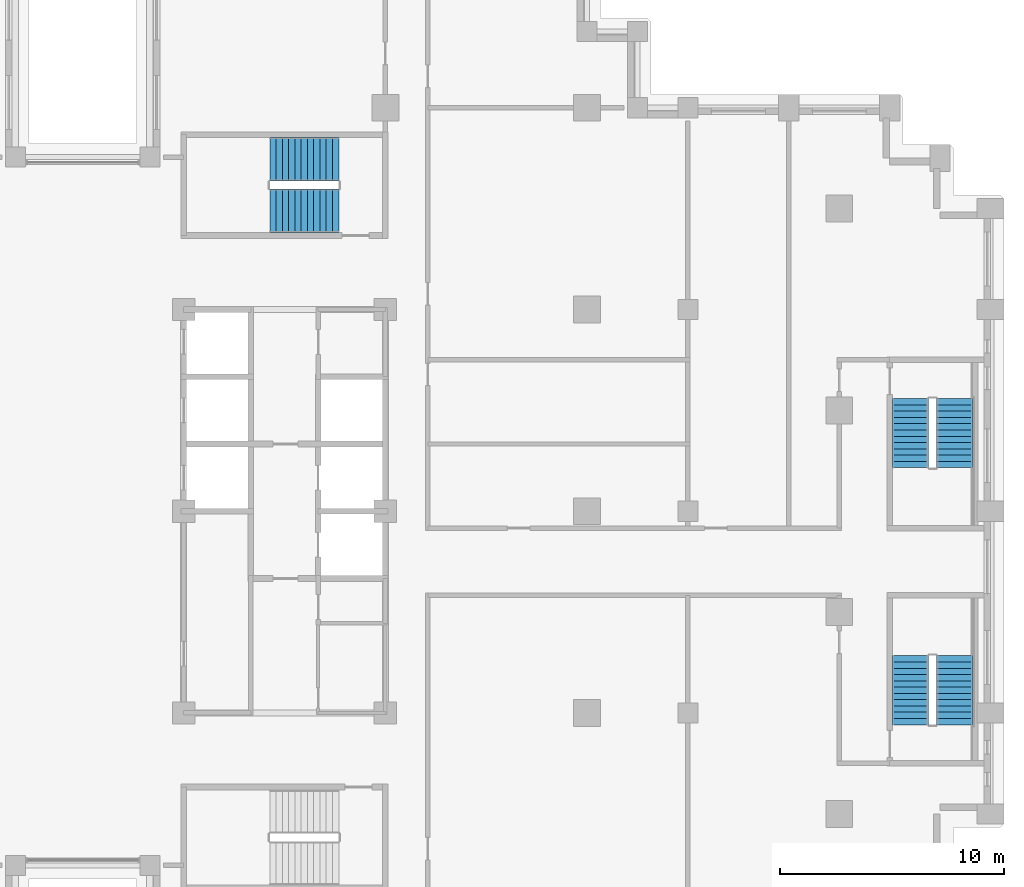
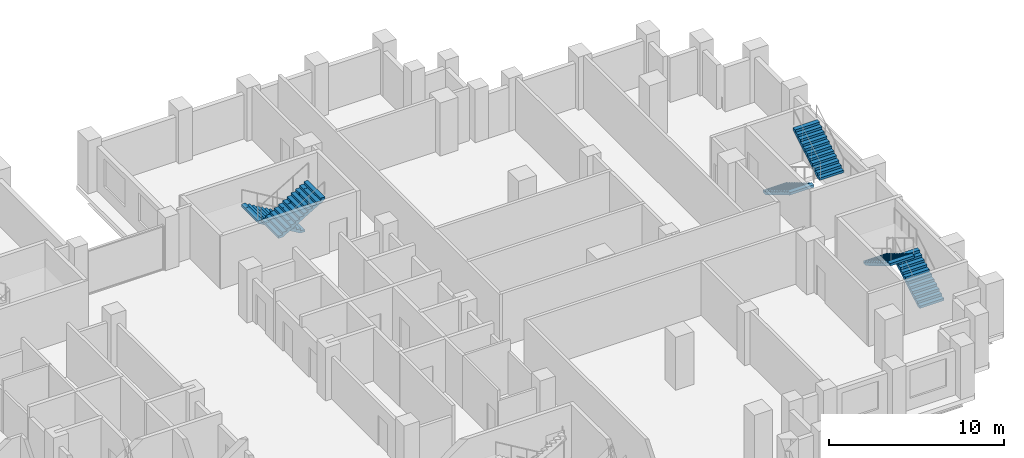
# One storey, part 13 of 15: 6 stair flights, 3 elements without a shape of their own.
"""IFC4 building model written with IfcOpenShell, lengths in metres."""

from ifc_helpers import new_model, si_unit, direction, frame, origin, place, context, subcontext, project, spatial, polyline, outline, extrude, material, type_object, element, aggregate, save


model = new_model("IFC4")

# Units and contexts
model_context = context("Model", 3, precision=1e-05, world=origin(), true_north=direction((0.0, 1.0)))
body_context = subcontext(model_context, "Body", "Model", "MODEL_VIEW")
ifc_project = project(units=[si_unit("LENGTHUNIT", "METRE"), si_unit("AREAUNIT", "SQUARE_METRE"), si_unit("VOLUMEUNIT", "CUBIC_METRE"), si_unit("PLANEANGLEUNIT", "RADIAN"), si_unit("MASSUNIT", "GRAM", prefix="KILO")], contexts=[model_context])

# Site, building, storey
site_placement = place(None, origin())
site = spatial("IfcSite", under=ifc_project, at=site_placement, CompositionType="ELEMENT")
building_placement = place(site_placement, origin())
building = spatial("IfcBuilding", under=site, at=building_placement, Name="Corbelhall Arena Tower", CompositionType="ELEMENT")
storey_placement = place(building_placement, frame((0.0, 0.0, 80.0)))
storey = spatial("IfcBuildingStorey", under=building, at=storey_placement, Name="L12", CompositionType="ELEMENT", Elevation=80.0)

# Stair, stair flights
ifc_material = material(Name="Concrete C40/50", Category="concrete")
stair_type = type_object("IfcStairType", Name="IN-ST-TOWER", PredefinedType="HALF_TURN_STAIR", material=ifc_material)
stair_1_placement = place(storey_placement, origin())
stair_1 = element("IfcStair", 1, at=stair_1_placement, inside=storey, type_object=stair_type, Name="L12 Exit stair ST3", PredefinedType="HALF_TURN_STAIR")
stair_flight_type = type_object("IfcStairFlightType", Name="IN-SFL-RC", PredefinedType="STRAIGHT", material=ifc_material)
stair_flight_1_placement = place(storey_placement, frame((11.425048828125, 15.699951171875, 0.0), z_axis=(0.0, 0.0, 1.0), x_axis=(-1.0, 0.0, 0.0)))
stair_flight_1 = element("IfcStairFlight", 2, at=stair_flight_1_placement, type_object=stair_flight_type, Name="ST3 flight 1", NumberOfRisers=12, NumberOfTreads=11, PredefinedType="STRAIGHT", RiserHeight=0.166666667, TreadLength=0.28, context=body_context, shape_type="SweptSolid", body=[
    extrude(outline(polyline([(0.0, 0.0), (0.0, 0.166748046875), (0.280029296875, 0.166748046875), (0.280029296875, 0.333251953125), (0.56005859375, 0.333251953125), (0.56005859375, 0.5), (0.840087890625, 0.5), (0.840087890625, 0.666748046875), (1.1201171875, 0.666748046875), (1.1201171875, 0.833251953125), (1.39990234375, 0.833251953125), (1.39990234375, 1.0), (1.679931640625, 1.0), (1.679931640625, 1.166748046875), (1.9599609375, 1.166748046875), (1.9599609375, 1.333251953125), (2.239990234375, 1.333251953125), (2.239990234375, 1.5), (2.52001953125, 1.5), (2.52001953125, 1.666748046875), (2.800048828125, 1.666748046875), (2.800048828125, 1.833251953125), (3.080078125, 1.833251953125), (3.080078125, 2.0), (3.080078125, 1.658935546875), (0.29296875, 0.0), (0.0, 0.0)])), frame((0.0, 0.97509765625, 0.0), z_axis=(0.0, -1.0, 0.0), x_axis=(1.0, 0.0, 0.0)), (0.0, 0.0, 1.0), 0.449951171875),
    extrude(outline(polyline([(0.0, 0.0), (0.0, 0.166748046875), (0.280029296875, 0.166748046875), (0.280029296875, 0.333251953125), (0.56005859375, 0.333251953125), (0.56005859375, 0.5), (0.840087890625, 0.5), (0.840087890625, 0.666748046875), (1.1201171875, 0.666748046875), (1.1201171875, 0.833251953125), (1.39990234375, 0.833251953125), (1.39990234375, 1.0), (1.679931640625, 1.0), (1.679931640625, 1.166748046875), (1.9599609375, 1.166748046875), (1.9599609375, 1.333251953125), (2.239990234375, 1.333251953125), (2.239990234375, 1.5), (2.52001953125, 1.5), (2.52001953125, 1.666748046875), (2.800048828125, 1.666748046875), (2.800048828125, 1.833251953125), (3.080078125, 1.833251953125), (3.080078125, 2.0), (3.080078125, 1.658935546875), (0.29296875, 0.0), (0.0, 0.0)])), frame((0.0, 0.52099609375, 0.0), z_axis=(0.0, -1.0, 0.0), x_axis=(1.0, 0.0, 0.0)), (0.0, 0.0, 1.0), 1.0419921875),
    extrude(outline(polyline([(0.0, 0.0), (0.0, 0.166748046875), (0.280029296875, 0.166748046875), (0.280029296875, 0.333251953125), (0.56005859375, 0.333251953125), (0.56005859375, 0.5), (0.840087890625, 0.5), (0.840087890625, 0.666748046875), (1.1201171875, 0.666748046875), (1.1201171875, 0.833251953125), (1.39990234375, 0.833251953125), (1.39990234375, 1.0), (1.679931640625, 1.0), (1.679931640625, 1.166748046875), (1.9599609375, 1.166748046875), (1.9599609375, 1.333251953125), (2.239990234375, 1.333251953125), (2.239990234375, 1.5), (2.52001953125, 1.5), (2.52001953125, 1.666748046875), (2.800048828125, 1.666748046875), (2.800048828125, 1.833251953125), (3.080078125, 1.833251953125), (3.080078125, 2.0), (3.080078125, 1.658935546875), (0.29296875, 0.0), (0.0, 0.0)])), frame((0.0, -0.52490234375, 0.0), z_axis=(0.0, -1.0, 0.0), x_axis=(1.0, 0.0, 0.0)), (0.0, 0.0, 1.0), 0.449951171875),
])
stair_flight_2_placement = place(storey_placement, frame((8.344970703125, 13.39990234375, 2.0), z_axis=(0.0, 0.0, 1.0), x_axis=(1.0, 0.0, 0.0)))
stair_flight_2 = element("IfcStairFlight", 3, at=stair_flight_2_placement, type_object=stair_flight_type, Name="ST3 flight 2", NumberOfRisers=12, NumberOfTreads=11, PredefinedType="STRAIGHT", RiserHeight=0.166666667, TreadLength=0.28, context=body_context, shape_type="SweptSolid", body=[
    extrude(outline(polyline([(0.0, 0.0), (0.0, 0.166748046875), (0.280029296875, 0.166748046875), (0.280029296875, 0.333251953125), (0.56005859375, 0.333251953125), (0.56005859375, 0.5), (0.840087890625, 0.5), (0.840087890625, 0.666748046875), (1.1201171875, 0.666748046875), (1.1201171875, 0.833251953125), (1.39990234375, 0.833251953125), (1.39990234375, 1.0), (1.679931640625, 1.0), (1.679931640625, 1.166748046875), (1.9599609375, 1.166748046875), (1.9599609375, 1.333251953125), (2.239990234375, 1.333251953125), (2.239990234375, 1.5), (2.52001953125, 1.5), (2.52001953125, 1.666748046875), (2.800048828125, 1.666748046875), (2.800048828125, 1.833251953125), (3.080078125, 1.833251953125), (3.080078125, 2.0), (3.080078125, 1.658935546875), (0.29296875, 0.0), (0.0, 0.0)])), frame((0.0, 0.97509765625, 0.0), z_axis=(0.0, -1.0, 0.0), x_axis=(1.0, 0.0, 0.0)), (0.0, 0.0, 1.0), 0.449951171875),
    extrude(outline(polyline([(0.0, 0.0), (0.0, 0.166748046875), (0.280029296875, 0.166748046875), (0.280029296875, 0.333251953125), (0.56005859375, 0.333251953125), (0.56005859375, 0.5), (0.840087890625, 0.5), (0.840087890625, 0.666748046875), (1.1201171875, 0.666748046875), (1.1201171875, 0.833251953125), (1.39990234375, 0.833251953125), (1.39990234375, 1.0), (1.679931640625, 1.0), (1.679931640625, 1.166748046875), (1.9599609375, 1.166748046875), (1.9599609375, 1.333251953125), (2.239990234375, 1.333251953125), (2.239990234375, 1.5), (2.52001953125, 1.5), (2.52001953125, 1.666748046875), (2.800048828125, 1.666748046875), (2.800048828125, 1.833251953125), (3.080078125, 1.833251953125), (3.080078125, 2.0), (3.080078125, 1.658935546875), (0.29296875, 0.0), (0.0, 0.0)])), frame((0.0, 0.52099609375, 0.0), z_axis=(0.0, -1.0, 0.0), x_axis=(1.0, 0.0, 0.0)), (0.0, 0.0, 1.0), 1.0419921875),
    extrude(outline(polyline([(0.0, 0.0), (0.0, 0.166748046875), (0.280029296875, 0.166748046875), (0.280029296875, 0.333251953125), (0.56005859375, 0.333251953125), (0.56005859375, 0.5), (0.840087890625, 0.5), (0.840087890625, 0.666748046875), (1.1201171875, 0.666748046875), (1.1201171875, 0.833251953125), (1.39990234375, 0.833251953125), (1.39990234375, 1.0), (1.679931640625, 1.0), (1.679931640625, 1.166748046875), (1.9599609375, 1.166748046875), (1.9599609375, 1.333251953125), (2.239990234375, 1.333251953125), (2.239990234375, 1.5), (2.52001953125, 1.5), (2.52001953125, 1.666748046875), (2.800048828125, 1.666748046875), (2.800048828125, 1.833251953125), (3.080078125, 1.833251953125), (3.080078125, 2.0), (3.080078125, 1.658935546875), (0.29296875, 0.0), (0.0, 0.0)])), frame((0.0, -0.52490234375, 0.0), z_axis=(0.0, -1.0, 0.0), x_axis=(1.0, 0.0, 0.0)), (0.0, 0.0, 1.0), 0.449951171875),
])
aggregate(stair_1, [stair_flight_1, stair_flight_2])

stair_2_placement = place(storey_placement, origin())
stair_2 = element("IfcStair", 4, at=stair_2_placement, inside=storey, type_object=stair_type, Name="L12 Exit stair SD1", PredefinedType="HALF_TURN_STAIR")
stair_flight_3_placement = place(storey_placement, frame((38.89990234375, -9.52490234375, 0.0), z_axis=(0.0, 0.0, 1.0), x_axis=(0.0, 1.0, 0.0)))
stair_flight_3 = element("IfcStairFlight", 5, at=stair_flight_3_placement, type_object=stair_flight_type, Name="SD1 flight 1", NumberOfRisers=12, NumberOfTreads=11, PredefinedType="STRAIGHT", RiserHeight=0.166666667, TreadLength=0.28, context=body_context, shape_type="SweptSolid", body=[
    extrude(outline(polyline([(0.0, 0.0), (0.0, 0.166748046875), (0.280029296875, 0.166748046875), (0.280029296875, 0.333251953125), (0.56005859375, 0.333251953125), (0.56005859375, 0.5), (0.840087890625, 0.5), (0.840087890625, 0.666748046875), (1.1201171875, 0.666748046875), (1.1201171875, 0.833251953125), (1.39990234375, 0.833251953125), (1.39990234375, 1.0), (1.679931640625, 1.0), (1.679931640625, 1.166748046875), (1.9599609375, 1.166748046875), (1.9599609375, 1.333251953125), (2.239990234375, 1.333251953125), (2.239990234375, 1.5), (2.52001953125, 1.5), (2.52001953125, 1.666748046875), (2.800048828125, 1.666748046875), (2.800048828125, 1.833251953125), (3.080078125, 1.833251953125), (3.080078125, 2.0), (3.080078125, 1.658935546875), (0.29296875, 0.0), (0.0, 0.0)])), frame((0.0, 0.800048828125, 0.0), z_axis=(0.0, -1.0, 0.0), x_axis=(1.0, 0.0, 0.0)), (0.0, 0.0, 1.0), 1.60009765625),
])
stair_flight_4_placement = place(storey_placement, frame((36.925048828125, -6.445068359375, 2.0), z_axis=(0.0, 0.0, 1.0), x_axis=(0.0, -1.0, 0.0)))
stair_flight_4 = element("IfcStairFlight", 6, at=stair_flight_4_placement, type_object=stair_flight_type, Name="SD1 flight 2", NumberOfRisers=12, NumberOfTreads=11, PredefinedType="STRAIGHT", RiserHeight=0.166666667, TreadLength=0.28, context=body_context, shape_type="SweptSolid", body=[
    extrude(outline(polyline([(0.0, 0.0), (0.0, 0.166748046875), (0.280029296875, 0.166748046875), (0.280029296875, 0.333251953125), (0.56005859375, 0.333251953125), (0.56005859375, 0.5), (0.840087890625, 0.5), (0.840087890625, 0.666748046875), (1.1201171875, 0.666748046875), (1.1201171875, 0.833251953125), (1.39990234375, 0.833251953125), (1.39990234375, 1.0), (1.679931640625, 1.0), (1.679931640625, 1.166748046875), (1.9599609375, 1.166748046875), (1.9599609375, 1.333251953125), (2.239990234375, 1.333251953125), (2.239990234375, 1.5), (2.52001953125, 1.5), (2.52001953125, 1.666748046875), (2.800048828125, 1.666748046875), (2.800048828125, 1.833251953125), (3.080078125, 1.833251953125), (3.080078125, 2.0), (3.080078125, 1.658935546875), (0.29296875, 0.0), (0.0, 0.0)])), frame((0.0, 0.800048828125, 0.0), z_axis=(0.0, -1.0, 0.0), x_axis=(1.0, 0.0, 0.0)), (0.0, 0.0, 1.0), 1.60009765625),
])
aggregate(stair_2, [stair_flight_3, stair_flight_4])

stair_3_placement = place(storey_placement, origin())
stair_3 = element("IfcStair", 7, at=stair_3_placement, inside=storey, type_object=stair_type, Name="L12 Exit stair SD2", PredefinedType="HALF_TURN_STAIR")
stair_flight_5_placement = place(storey_placement, frame((36.925048828125, 5.02490234375, 0.0), z_axis=(0.0, 0.0, 1.0), x_axis=(0.0, -1.0, 0.0)))
stair_flight_5 = element("IfcStairFlight", 8, at=stair_flight_5_placement, type_object=stair_flight_type, Name="SD2 flight 1", NumberOfRisers=12, NumberOfTreads=11, PredefinedType="STRAIGHT", RiserHeight=0.166666667, TreadLength=0.28, context=body_context, shape_type="SweptSolid", body=[
    extrude(outline(polyline([(0.0, 0.0), (0.0, 0.166748046875), (0.280029296875, 0.166748046875), (0.280029296875, 0.333251953125), (0.56005859375, 0.333251953125), (0.56005859375, 0.5), (0.840087890625, 0.5), (0.840087890625, 0.666748046875), (1.1201171875, 0.666748046875), (1.1201171875, 0.833251953125), (1.39990234375, 0.833251953125), (1.39990234375, 1.0), (1.679931640625, 1.0), (1.679931640625, 1.166748046875), (1.9599609375, 1.166748046875), (1.9599609375, 1.333251953125), (2.239990234375, 1.333251953125), (2.239990234375, 1.5), (2.52001953125, 1.5), (2.52001953125, 1.666748046875), (2.800048828125, 1.666748046875), (2.800048828125, 1.833251953125), (3.080078125, 1.833251953125), (3.080078125, 2.0), (3.080078125, 1.658935546875), (0.29296875, 0.0), (0.0, 0.0)])), frame((0.0, 0.800048828125, 0.0), z_axis=(0.0, -1.0, 0.0), x_axis=(1.0, 0.0, 0.0)), (0.0, 0.0, 1.0), 1.60009765625),
])
stair_flight_6_placement = place(storey_placement, frame((38.89990234375, 1.945068359375, 2.0), z_axis=(0.0, 0.0, 1.0), x_axis=(0.0, 1.0, 0.0)))
stair_flight_6 = element("IfcStairFlight", 9, at=stair_flight_6_placement, type_object=stair_flight_type, Name="SD2 flight 2", NumberOfRisers=12, NumberOfTreads=11, PredefinedType="STRAIGHT", RiserHeight=0.166666667, TreadLength=0.28, context=body_context, shape_type="SweptSolid", body=[
    extrude(outline(polyline([(0.0, 0.0), (0.0, 0.166748046875), (0.280029296875, 0.166748046875), (0.280029296875, 0.333251953125), (0.56005859375, 0.333251953125), (0.56005859375, 0.5), (0.840087890625, 0.5), (0.840087890625, 0.666748046875), (1.1201171875, 0.666748046875), (1.1201171875, 0.833251953125), (1.39990234375, 0.833251953125), (1.39990234375, 1.0), (1.679931640625, 1.0), (1.679931640625, 1.166748046875), (1.9599609375, 1.166748046875), (1.9599609375, 1.333251953125), (2.239990234375, 1.333251953125), (2.239990234375, 1.5), (2.52001953125, 1.5), (2.52001953125, 1.666748046875), (2.800048828125, 1.666748046875), (2.800048828125, 1.833251953125), (3.080078125, 1.833251953125), (3.080078125, 2.0), (3.080078125, 1.658935546875), (0.29296875, 0.0), (0.0, 0.0)])), frame((0.0, 0.800048828125, 0.0), z_axis=(0.0, -1.0, 0.0), x_axis=(1.0, 0.0, 0.0)), (0.0, 0.0, 1.0), 1.60009765625),
])
aggregate(stair_3, [stair_flight_5, stair_flight_6])

save(model, "model.ifc")
